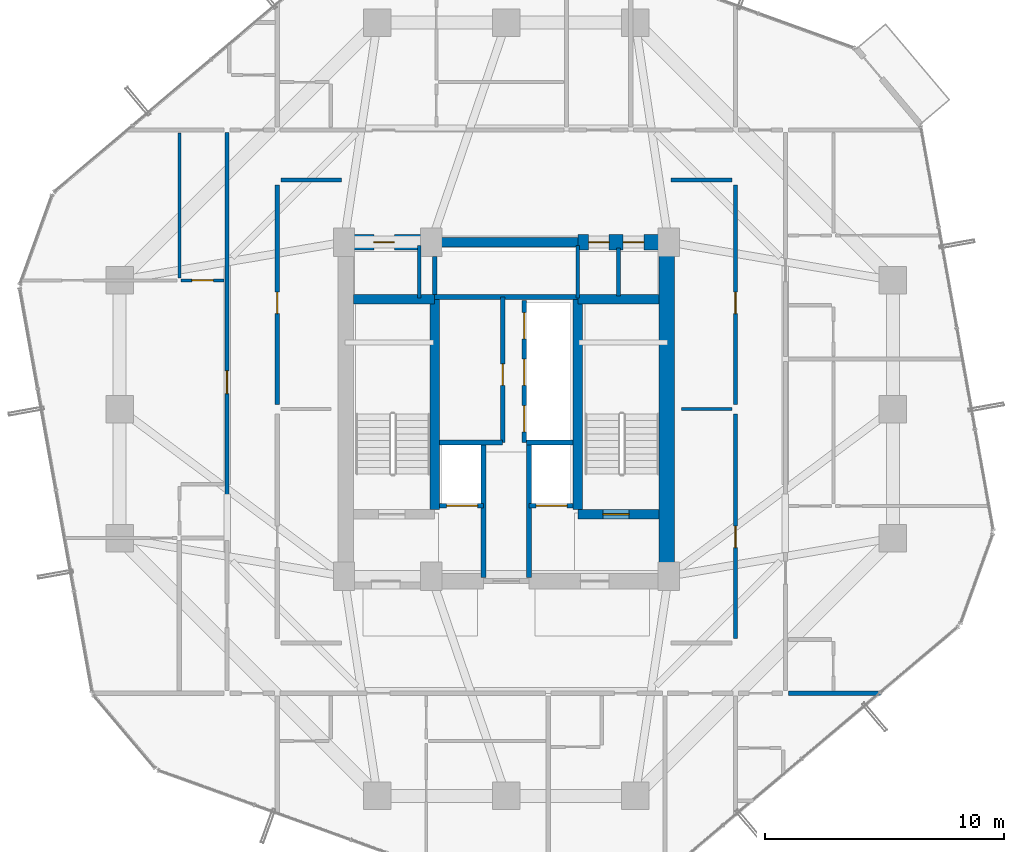
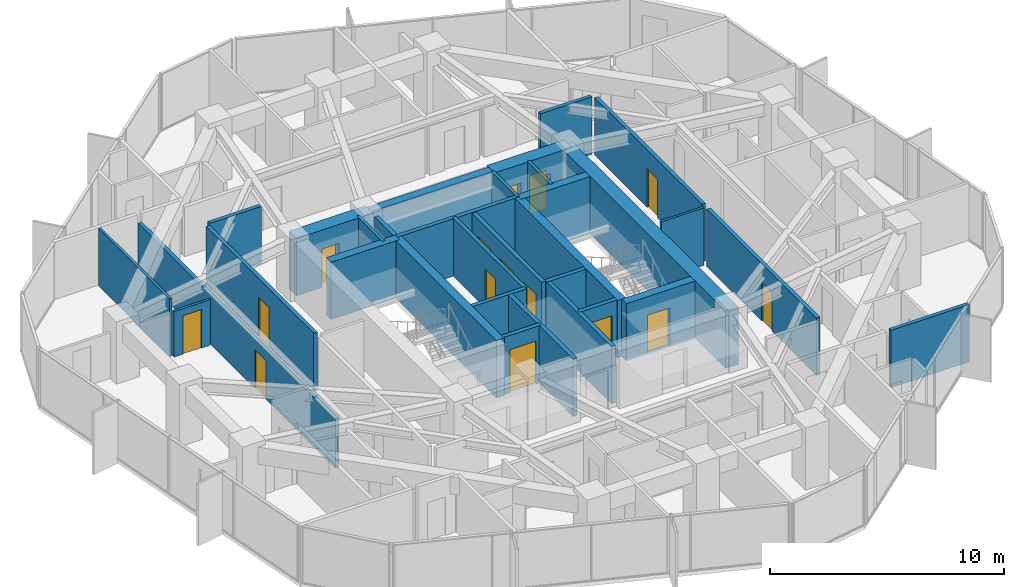
# One storey, part 32 of 36: 32 walls, 15 doors, 15 openings.
"""IFC4 building model written with IfcOpenShell, lengths in metres."""

from ifc_helpers import new_model, si_unit, direction, frame, frame_2d, origin, place, context, subcontext, project, spatial, rectangle, extrude, source, transform, mapped, material, layer, layer_set, type_object, element, fill, save


model = new_model("IFC4")

# Units and contexts
model_context = context("Model", 3, precision=1e-05, world=origin(), true_north=direction((0.0, 1.0)))
body_context = subcontext(model_context, "Body", "Model", "MODEL_VIEW")
ifc_project = project(units=[si_unit("LENGTHUNIT", "METRE"), si_unit("AREAUNIT", "SQUARE_METRE"), si_unit("VOLUMEUNIT", "CUBIC_METRE"), si_unit("PLANEANGLEUNIT", "RADIAN"), si_unit("MASSUNIT", "GRAM", prefix="KILO")], contexts=[model_context])

# Site, building, storey
site_placement = place(None, origin())
site = spatial("IfcSite", under=ifc_project, at=site_placement, CompositionType="ELEMENT")
building_placement = place(site_placement, origin())
building = spatial("IfcBuilding", under=site, at=building_placement, Name="Veraguas Prism Commons", CompositionType="ELEMENT")
storey_placement = place(building_placement, frame((0.0, 0.0, 163.050048828125)))
storey = spatial("IfcBuildingStorey", under=building, at=storey_placement, Name="L46", CompositionType="ELEMENT", Elevation=163.050048828125)

# Wall
ifc_material_1 = material(Name="Concrete C50/60", Category="concrete")
ifc_layer_1 = layer(ifc_material_1, 0.39990234375, Name="Clinic and Mid Core Shear Wall RC 400", Category="concrete")
ifc_layer_set_1 = layer_set([ifc_layer_1], Name="Concrete C50/60")
wall_type_1 = type_object("IfcWallType", Name="Clinic and Mid Core Shear Wall RC 400", PredefinedType="SHEAR", material=ifc_layer_set_1)
wall_1_placement = place(storey_placement, frame((21.0, 31.0, 0.0), z_axis=(0.0, 0.0, 1.0), x_axis=(1.0, 0.0, 0.0)))
element("IfcWall", 1, at=wall_1_placement, inside=storey, type_object=wall_type_1, Name="High-Rise Lift Bank Front Shear Wall L46", PredefinedType="SHEAR", context=body_context, shape_type="SweptSolid", body=[
    extrude(rectangle(XDim=6.0, YDim=0.39990234375, at=frame_2d((3.0, 0.0))), origin(), (0.0, 0.0, 1.0), 3.0),
])

# Wall, opening, door
wall_2_placement = place(storey_placement, frame((27.0, 19.60009765625, 0.0), z_axis=(0.0, 0.0, 1.0), x_axis=(1.0, 0.0, 0.0)))
wall_2 = element("IfcWall", 2, at=wall_2_placement, inside=storey, type_object=wall_type_1, Name="Stair ST-02 South Shear Wall L46", PredefinedType="SHEAR", context=body_context, shape_type="SweptSolid", body=[
    extrude(rectangle(XDim=3.39990234375, YDim=0.39990234375, at=frame_2d((1.699951171875, 0.0))), origin(), (0.0, 0.0, 1.0), 3.0),
])
opening_1_placement = place(wall_2_placement, frame((1.050048828125, 0.0, 0.0)))
opening_1 = element("IfcOpeningElement", 3, at=opening_1_placement, cuts=wall_2, Name="Opening DR-05", PredefinedType="OPENING", context=body_context, shape_type="SweptSolid", body=[
    extrude(rectangle(XDim=1.10009765625, YDim=2.030029296875, at=frame_2d((0.550048828125, 1.01513671875))), frame((0.0, 0.2099609375, 0.0), z_axis=(0.0, -1.0, 0.0), x_axis=(1.0, 0.0, 0.0)), (0.0, 0.0, 1.0), 0.419921875),
])
ifc_material_2 = material(Name="Steel fire-rated door assembly", Category="steel")
door_type_1 = type_object("IfcDoorType", Name="Protected Stair and Refuge Fire Door 1100x2030", OperationType="NOTDEFINED", PredefinedType="DOOR", material=ifc_material_2)
shared_shape_1 = source(origin(), body_context, "Body", "SweptSolid", [
    extrude(rectangle(XDim=1.10009765625, YDim=2.030029296875, at=frame_2d((0.550048828125, 1.01513671875))), frame((0.0, 0.02490234375, 0.0), z_axis=(0.0, -1.0, 0.0), x_axis=(1.0, 0.0, 0.0)), (0.0, 0.0, 1.0), 0.050048828125),
])
door_1_placement = place(opening_1_placement, origin())
door_1 = element("IfcDoor", 4, at=door_1_placement, inside=storey, type_object=door_type_1, Name="Stair ST-02 Enclosure Door L46", OperationType="SINGLE_SWING_LEFT", OverallHeight=2.030029296875, OverallWidth=1.10009765625, PredefinedType="DOOR", context=body_context, shape_type="MappedRepresentation", body=[
    mapped(shared_shape_1, transform((0.0, 0.0, 0.0), scale=1.0)),
])
fill(opening_1, door_1)

# Walls
for number, where, z_axis, x_axis, name in (
    (5, (21.0, 19.800048828125, 0.0), (0.0, 0.0, 1.0), (0.0, 1.0, 0.0), "Stair ST-01 Inner Shear Wall L46"),
    (6, (27.0, 19.800048828125, 0.0), (0.0, 0.0, 1.0), (0.0, 1.0, 0.0), "Stair ST-02 Inner Shear Wall L46"),
):
    element("IfcWall", number, at=place(storey_placement, frame(where, z_axis=z_axis, x_axis=x_axis)), inside=storey, type_object=wall_type_1, Name=name, PredefinedType="SHEAR", context=body_context, shape_type="SweptSolid", body=[
        extrude(rectangle(XDim=8.800048828125, YDim=0.39990234375, at=frame_2d((4.39990234375, 0.0))), origin(), (0.0, 0.0, 1.0), 3.0),
    ])
for number, where, z_axis, x_axis, name in (
    (7, (17.60009765625, 28.60009765625, 0.0), (0.0, 0.0, 1.0), (1.0, 0.0, 0.0), "Stair ST-01 North Shear Wall L46"),
    (8, (27.0, 28.60009765625, 0.0), (0.0, 0.0, 1.0), (1.0, 0.0, 0.0), "Stair ST-02 North Shear Wall L46"),
):
    element("IfcWall", number, at=place(storey_placement, frame(where, z_axis=z_axis, x_axis=x_axis)), inside=storey, type_object=wall_type_1, Name=name, PredefinedType="SHEAR", context=body_context, shape_type="SweptSolid", body=[
        extrude(rectangle(XDim=3.39990234375, YDim=0.39990234375, at=frame_2d((1.699951171875, 0.0))), origin(), (0.0, 0.0, 1.0), 3.0),
    ])
ifc_material_3 = material(Name="Concrete C55/67", Category="concrete")
ifc_layer_2 = layer(ifc_material_3, 0.64990234375, Name="Core Outer Shear Wall Mid RC 650", Category="concrete")
ifc_layer_set_2 = layer_set([ifc_layer_2], Name="Concrete C55/67")
wall_type_2 = type_object("IfcWallType", Name="Core Outer Shear Wall Mid RC 650", PredefinedType="SHEAR", material=ifc_layer_set_2)
wall_3_placement = place(storey_placement, frame((30.72509765625, 16.800048828125, 0.0), z_axis=(0.0, 0.0, 1.0), x_axis=(0.0, 1.0, 0.0)))
element("IfcWall", 9, at=wall_3_placement, inside=storey, type_object=wall_type_2, Name="Central Core East Shear Wall L46", PredefinedType="SHEAR", context=body_context, shape_type="SweptSolid", body=[
    extrude(rectangle(XDim=14.199951171875, YDim=0.64990234375, at=frame_2d((7.10009765625, 0.0))), origin(), (0.0, 0.0, 1.0), 3.0),
])

# Wall, opening, door
wall_4_placement = place(storey_placement, frame((17.199951171875, 31.0, 0.0), z_axis=(0.0, 0.0, 1.0), x_axis=(1.0, 0.0, 0.0)))
wall_4 = element("IfcWall", 10, at=wall_4_placement, inside=storey, type_object=wall_type_2, Name="Central Core North-West Shear Wall L46", PredefinedType="SHEAR", context=body_context, shape_type="SweptSolid", body=[
    extrude(rectangle(XDim=3.800048828125, YDim=0.64990234375, at=frame_2d((1.89990234375, 0.0))), origin(), (0.0, 0.0, 1.0), 3.0),
])
opening_2_placement = place(wall_4_placement, frame((1.25, 0.0, 0.0)))
opening_2 = element("IfcOpeningElement", 11, at=opening_2_placement, cuts=wall_4, Name="Opening DR-12", PredefinedType="OPENING", context=body_context, shape_type="SweptSolid", body=[
    extrude(rectangle(XDim=0.860107421875, YDim=2.010009765625, at=frame_2d((0.43017578125, 1.0048828125))), frame((0.0, 0.3349609375, 0.0), z_axis=(0.0, -1.0, 0.0), x_axis=(1.0, 0.0, 0.0)), (0.0, 0.0, 1.0), 0.669921875),
])
door_type_2 = type_object("IfcDoorType", Name="Core WC Fire Door 860x2010", OperationType="NOTDEFINED", PredefinedType="DOOR", material=ifc_material_2)
shared_shape_2 = source(origin(), body_context, "Body", "SweptSolid", [
    extrude(rectangle(XDim=0.860107421875, YDim=2.010009765625, at=frame_2d((0.43017578125, 1.0048828125))), frame((0.0, 0.02490234375, 0.0), z_axis=(0.0, -1.0, 0.0), x_axis=(1.0, 0.0, 0.0)), (0.0, 0.0, 1.0), 0.050048828125),
])
door_2_placement = place(opening_2_placement, origin())
door_2 = element("IfcDoor", 12, at=door_2_placement, inside=storey, type_object=door_type_2, Name="Core NW Service Door L46", OperationType="SINGLE_SWING_LEFT", OverallHeight=2.010009765625, OverallWidth=0.860107421875, PredefinedType="DOOR", context=body_context, shape_type="MappedRepresentation", body=[
    mapped(shared_shape_2, transform((0.0, 0.0, 0.0), scale=1.0)),
])
fill(opening_2, door_2)

# Wall, openings, doors
wall_5_placement = place(storey_placement, frame((27.0, 31.0, 0.0), z_axis=(0.0, 0.0, 1.0), x_axis=(1.0, 0.0, 0.0)))
wall_5 = element("IfcWall", 13, at=wall_5_placement, inside=storey, type_object=wall_type_2, Name="Central Core North-East Shear Wall L46", PredefinedType="SHEAR", context=body_context, shape_type="SweptSolid", body=[
    extrude(rectangle(XDim=3.800048828125, YDim=0.64990234375, at=frame_2d((1.89990234375, 0.0))), origin(), (0.0, 0.0, 1.0), 3.0),
])
opening_3_placement = place(wall_5_placement, frame((0.449951171875, 0.0, 0.0)))
opening_3 = element("IfcOpeningElement", 14, at=opening_3_placement, cuts=wall_5, Name="Opening DR-12", PredefinedType="OPENING", context=body_context, shape_type="SweptSolid", body=[
    extrude(rectangle(XDim=0.860107421875, YDim=2.010009765625, at=frame_2d((0.43017578125, 1.0048828125))), frame((0.0, 0.3349609375, 0.0), z_axis=(0.0, -1.0, 0.0), x_axis=(1.0, 0.0, 0.0)), (0.0, 0.0, 1.0), 0.669921875),
])
opening_4_placement = place(wall_5_placement, frame((1.89990234375, 0.0, 0.0)))
opening_4 = element("IfcOpeningElement", 15, at=opening_4_placement, cuts=wall_5, Name="Opening DR-12", PredefinedType="OPENING", context=body_context, shape_type="SweptSolid", body=[
    extrude(rectangle(XDim=0.860107421875, YDim=2.010009765625, at=frame_2d((0.43017578125, 1.0048828125))), frame((0.0, 0.3349609375, 0.0), z_axis=(0.0, -1.0, 0.0), x_axis=(1.0, 0.0, 0.0)), (0.0, 0.0, 1.0), 0.669921875),
])
door_3_placement = place(opening_3_placement, origin())
door_3 = element("IfcDoor", 16, at=door_3_placement, inside=storey, type_object=door_type_2, Name="Core NE Room A Door L46", OperationType="SINGLE_SWING_RIGHT", OverallHeight=2.010009765625, OverallWidth=0.860107421875, PredefinedType="DOOR", context=body_context, shape_type="MappedRepresentation", body=[
    mapped(shared_shape_2, transform((0.0, 0.0, 0.0), scale=1.0)),
])
fill(opening_3, door_3)
door_4_placement = place(opening_4_placement, origin())
door_4 = element("IfcDoor", 17, at=door_4_placement, inside=storey, type_object=door_type_2, Name="Core NE Room B Door L46", OperationType="SINGLE_SWING_LEFT", OverallHeight=2.010009765625, OverallWidth=0.860107421875, PredefinedType="DOOR", context=body_context, shape_type="MappedRepresentation", body=[
    mapped(shared_shape_2, transform((0.0, 0.0, 0.0), scale=1.0)),
])
fill(opening_4, door_4)

# Wall, opening, door
ifc_material_4 = material(Name="Autoclaved aerated masonry block 10 MPa", Category="masonry")
ifc_layer_3 = layer(ifc_material_4, 0.179931640625, Name="Corridor and Inter-Tenancy Partition 180", Category="masonry")
ifc_layer_set_3 = layer_set([ifc_layer_3], Name="Autoclaved aerated masonry block 10 MPa")
wall_type_3 = type_object("IfcWallType", Name="Corridor and Inter-Tenancy Partition 180", PredefinedType="PARTITIONING", material=ifc_layer_set_3)
wall_6_placement = place(storey_placement, frame((23.85009765625, 22.60009765625, 0.0), z_axis=(0.0, 0.0, 1.0), x_axis=(0.0, 1.0, 0.0)))
wall_6 = element("IfcWall", 18, at=wall_6_placement, inside=storey, type_object=wall_type_3, Name="Reading Room Partition L46", PredefinedType="PARTITIONING", context=body_context, shape_type="SweptSolid", body=[
    extrude(rectangle(XDim=6.099853515625, YDim=0.179931640625, at=frame_2d((3.0498046875, 0.0))), origin(), (0.0, 0.0, 1.0), 3.0),
])
opening_5_placement = place(wall_6_placement, frame((2.39990234375, 0.0, 0.0)))
opening_5 = element("IfcOpeningElement", 19, at=opening_5_placement, cuts=wall_6, Name="Opening DR-14", PredefinedType="OPENING", context=body_context, shape_type="SweptSolid", body=[
    extrude(rectangle(XDim=0.89990234375, YDim=2.010009765625, at=frame_2d((0.449951171875, 1.0048828125))), frame((0.0, 0.099853515625, 0.0), z_axis=(0.0, -1.0, 0.0), x_axis=(1.0, 0.0, 0.0)), (0.0, 0.0, 1.0), 0.199951171875),
])
door_type_3 = type_object("IfcDoorType", Name="Core Service Room Fire Door 900x2010", OperationType="NOTDEFINED", PredefinedType="DOOR", material=ifc_material_2)
shared_shape_3 = source(origin(), body_context, "Body", "SweptSolid", [
    extrude(rectangle(XDim=0.89990234375, YDim=2.010009765625, at=frame_2d((0.449951171875, 1.0048828125))), frame((0.0, 0.02490234375, 0.0), z_axis=(0.0, -1.0, 0.0), x_axis=(1.0, 0.0, 0.0)), (0.0, 0.0, 1.0), 0.050048828125),
])
door_5_placement = place(opening_5_placement, origin())
door_5 = element("IfcDoor", 20, at=door_5_placement, inside=storey, type_object=door_type_3, Name="Reading Room Door L46", OperationType="SINGLE_SWING_RIGHT", OverallHeight=2.010009765625, OverallWidth=0.89990234375, PredefinedType="DOOR", context=body_context, shape_type="MappedRepresentation", body=[
    mapped(shared_shape_3, transform((0.0, 0.0, 0.0), scale=1.0)),
])
fill(opening_5, door_5)

wall_7_placement = place(storey_placement, frame((14.39990234375, 24.199951171875, 0.0), z_axis=(0.0, 0.0, 1.0), x_axis=(0.0, 1.0, 0.0)))
wall_7 = element("IfcWall", 21, at=wall_7_placement, inside=storey, type_object=wall_type_3, Name="WL-L46-IRW2", PredefinedType="PARTITIONING", context=body_context, shape_type="SweptSolid", body=[
    extrude(rectangle(XDim=9.199951171875, YDim=0.179931640625, at=frame_2d((4.60009765625, 0.0))), origin(), (0.0, 0.0, 1.0), 3.0),
])
opening_6_placement = place(wall_7_placement, frame((3.800048828125, 0.0, 0.0)))
opening_6 = element("IfcOpeningElement", 22, at=opening_6_placement, cuts=wall_7, Name="Opening DR-14", PredefinedType="OPENING", context=body_context, shape_type="SweptSolid", body=[
    extrude(rectangle(XDim=0.89990234375, YDim=2.010009765625, at=frame_2d((0.449951171875, 1.0048828125))), frame((0.0, 0.099853515625, 0.0), z_axis=(0.0, -1.0, 0.0), x_axis=(1.0, 0.0, 0.0)), (0.0, 0.0, 1.0), 0.199951171875),
])
door_6_placement = place(opening_6_placement, origin())
door_6 = element("IfcDoor", 23, at=door_6_placement, inside=storey, type_object=door_type_3, Name="Co-op Cycle and Pram Store Door L46", OperationType="SINGLE_SWING_RIGHT", OverallHeight=2.010009765625, OverallWidth=0.89990234375, PredefinedType="DOOR", context=body_context, shape_type="MappedRepresentation", body=[
    mapped(shared_shape_3, transform((0.0, 0.0, 0.0), scale=1.0)),
])
fill(opening_6, door_6)

wall_8_placement = place(storey_placement, frame((33.60009765625, 14.39990234375, 0.0), z_axis=(0.0, 0.0, 1.0), x_axis=(0.0, 1.0, 0.0)))
wall_8 = element("IfcWall", 24, at=wall_8_placement, inside=storey, type_object=wall_type_3, Name="WL-L46-IRE1", PredefinedType="PARTITIONING", context=body_context, shape_type="SweptSolid", body=[
    extrude(rectangle(XDim=9.400146484375, YDim=0.179931640625, at=frame_2d((4.7001953125, 0.0))), origin(), (0.0, 0.0, 1.0), 3.0),
])
opening_7_placement = place(wall_8_placement, frame((3.800048828125, 0.0, 0.0)))
opening_7 = element("IfcOpeningElement", 25, at=opening_7_placement, cuts=wall_8, Name="Opening DR-14", PredefinedType="OPENING", context=body_context, shape_type="SweptSolid", body=[
    extrude(rectangle(XDim=0.89990234375, YDim=2.010009765625, at=frame_2d((0.449951171875, 1.0048828125))), frame((0.0, 0.099853515625, 0.0), z_axis=(0.0, -1.0, 0.0), x_axis=(1.0, 0.0, 0.0)), (0.0, 0.0, 1.0), 0.199951171875),
])
door_7_placement = place(opening_7_placement, origin())
door_7 = element("IfcDoor", 26, at=door_7_placement, inside=storey, type_object=door_type_3, Name="Shared Laundry Annex Door L46", OperationType="SINGLE_SWING_LEFT", OverallHeight=2.010009765625, OverallWidth=0.89990234375, PredefinedType="DOOR", context=body_context, shape_type="MappedRepresentation", body=[
    mapped(shared_shape_3, transform((0.0, 0.0, 0.0), scale=1.0)),
])
fill(opening_7, door_7)

wall_9_placement = place(storey_placement, frame((33.60009765625, 24.199951171875, 0.0), z_axis=(0.0, 0.0, 1.0), x_axis=(0.0, 1.0, 0.0)))
wall_9 = element("IfcWall", 27, at=wall_9_placement, inside=storey, type_object=wall_type_3, Name="WL-L46-IRE2", PredefinedType="PARTITIONING", context=body_context, shape_type="SweptSolid", body=[
    extrude(rectangle(XDim=9.199951171875, YDim=0.179931640625, at=frame_2d((4.60009765625, 0.0))), origin(), (0.0, 0.0, 1.0), 3.0),
])
opening_8_placement = place(wall_9_placement, frame((3.800048828125, 0.0, 0.0)))
opening_8 = element("IfcOpeningElement", 28, at=opening_8_placement, cuts=wall_9, Name="Opening DR-14", PredefinedType="OPENING", context=body_context, shape_type="SweptSolid", body=[
    extrude(rectangle(XDim=0.89990234375, YDim=2.010009765625, at=frame_2d((0.449951171875, 1.0048828125))), frame((0.0, 0.099853515625, 0.0), z_axis=(0.0, -1.0, 0.0), x_axis=(1.0, 0.0, 0.0)), (0.0, 0.0, 1.0), 0.199951171875),
])
door_8_placement = place(opening_8_placement, origin())
door_8 = element("IfcDoor", 29, at=door_8_placement, inside=storey, type_object=door_type_3, Name="Community Reading Alcove Door L46", OperationType="SINGLE_SWING_RIGHT", OverallHeight=2.010009765625, OverallWidth=0.89990234375, PredefinedType="DOOR", context=body_context, shape_type="MappedRepresentation", body=[
    mapped(shared_shape_3, transform((0.0, 0.0, 0.0), scale=1.0)),
])
fill(opening_8, door_8)

# Walls
for number, where, z_axis, x_axis, name in (
    (30, (14.550048828125, 33.60009765625, 0.0), (0.0, 0.0, 1.0), (1.0, 0.0, 0.0), "WL-L46-IRWN"),
    (31, (30.89990234375, 33.60009765625, 0.0), (0.0, 0.0, 1.0), (1.0, 0.0, 0.0), "WL-L46-IREN"),
):
    element("IfcWall", number, at=place(storey_placement, frame(where, z_axis=z_axis, x_axis=x_axis)), inside=storey, type_object=wall_type_3, Name=name, PredefinedType="PARTITIONING", context=body_context, shape_type="SweptSolid", body=[
        extrude(rectangle(XDim=2.550048828125, YDim=0.179931640625, at=frame_2d((1.27490234375, 0.0))), origin(), (0.0, 0.0, 1.0), 3.0),
    ])

# Wall, opening, door
wall_10_placement = place(storey_placement, frame((12.300048828125, 18.7099609375, 0.0), z_axis=(0.0, 0.0, 1.0), x_axis=(0.0, 1.0, 0.0)))
wall_10 = element("IfcWall", 32, at=wall_10_placement, inside=storey, type_object=wall_type_3, Name="WL-L46-PT030", PredefinedType="PARTITIONING", context=body_context, shape_type="SweptSolid", body=[
    extrude(rectangle(XDim=16.880126953125, YDim=0.179931640625, at=frame_2d((8.43994140625, 0.0))), origin(), (0.0, 0.0, 1.0), 2.579833984375),
])
opening_9_placement = place(wall_10_placement, frame((5.93994140625, 0.0, 0.0)))
opening_9 = element("IfcOpeningElement", 33, at=opening_9_placement, cuts=wall_10, Name="Opening DR-01", PredefinedType="OPENING", context=body_context, shape_type="SweptSolid", body=[
    extrude(rectangle(XDim=0.949951171875, YDim=2.02001953125, at=frame_2d((0.47509765625, 1.010009765625))), frame((0.0, 0.099853515625, 0.0), z_axis=(0.0, -1.0, 0.0), x_axis=(1.0, 0.0, 0.0)), (0.0, 0.0, 1.0), 0.199951171875),
])
ifc_material_5 = material(Name="Anodised aluminium EN AW-6063 T6", Category="aluminium")
door_type_4 = type_object("IfcDoorType", Name="Apartment Entrance Fire Door 950x2020", OperationType="NOTDEFINED", PredefinedType="DOOR", material=ifc_material_5)
shared_shape_4 = source(origin(), body_context, "Body", "SweptSolid", [
    extrude(rectangle(XDim=0.949951171875, YDim=2.02001953125, at=frame_2d((0.47509765625, 1.010009765625))), frame((0.0, 0.02490234375, 0.0), z_axis=(0.0, -1.0, 0.0), x_axis=(1.0, 0.0, 0.0)), (0.0, 0.0, 1.0), 0.050048828125),
])
door_9_placement = place(opening_9_placement, origin())
door_9 = element("IfcDoor", 34, at=door_9_placement, inside=storey, type_object=door_type_4, Name="Flat 46D Entrance Door", OperationType="SINGLE_SWING_LEFT", OverallHeight=2.02001953125, OverallWidth=0.949951171875, PredefinedType="DOOR", context=body_context, shape_type="MappedRepresentation", body=[
    mapped(shared_shape_4, transform((0.0, 0.0, 0.0), scale=1.0)),
])
fill(opening_9, door_9)

# Walls
wall_11_placement = place(storey_placement, frame((35.820068359375, 12.10009765625, 0.0), z_axis=(0.0, 0.0, 1.0), x_axis=(1.0, 0.0, 0.0)))
element("IfcWall", 35, at=wall_11_placement, inside=storey, type_object=wall_type_3, Name="WL-L46-PT039", PredefinedType="PARTITIONING", context=body_context, shape_type="SweptSolid", body=[
    extrude(rectangle(XDim=3.8662109375, YDim=0.179931640625, at=frame_2d((1.93310546875, 0.0))), origin(), (0.0, 0.0, 1.0), 3.0),
])
ifc_material_6 = material(Name="Lightweight acoustic gypsum board")
ifc_layer_4 = layer(ifc_material_6, 0.125, Name="Internal Apartment Room Partition 125")
ifc_layer_set_4 = layer_set([ifc_layer_4], Name="Lightweight acoustic gypsum board")
wall_type_4 = type_object("IfcWallType", Name="Internal Apartment Room Partition 125", PredefinedType="PARTITIONING", material=ifc_layer_set_4)
wall_12_placement = place(storey_placement, frame((31.35009765625, 24.0, 0.0), z_axis=(0.0, 0.0, 1.0), x_axis=(1.0, 0.0, 0.0)))
element("IfcWall", 36, at=wall_12_placement, inside=storey, type_object=wall_type_4, Name="WL-L46-IREM", PredefinedType="PARTITIONING", context=body_context, shape_type="SweptSolid", body=[
    extrude(rectangle(XDim=2.099853515625, YDim=0.125, at=frame_2d((1.0498046875, 0.0))), origin(), (0.0, 0.0, 1.0), 3.0),
])

# Wall, opening, door
wall_13_placement = place(storey_placement, frame((12.179931640625, 29.39990234375, 0.0), z_axis=(0.0, 0.0, 1.0), x_axis=(-1.0, 0.0, 0.0)))
wall_13 = element("IfcWall", 37, at=wall_13_placement, inside=storey, type_object=wall_type_4, Name="WL-L46-PT036", PredefinedType="PARTITIONING", context=body_context, shape_type="SweptSolid", body=[
    extrude(rectangle(XDim=1.800048828125, YDim=0.125, at=frame_2d((0.89990234375, 0.0))), origin(), (0.0, 0.0, 1.0), 2.3779296875),
])
opening_10_placement = place(wall_13_placement, frame((0.449951171875, 0.0, 0.0)))
opening_10 = element("IfcOpeningElement", 38, at=opening_10_placement, cuts=wall_13, Name="Opening DR-02", PredefinedType="OPENING", context=body_context, shape_type="SweptSolid", body=[
    extrude(rectangle(XDim=0.89990234375, YDim=2.010009765625, at=frame_2d((0.449951171875, 1.0048828125))), frame((0.0, 0.072509765625, 0.0), z_axis=(0.0, -1.0, 0.0), x_axis=(1.0, 0.0, 0.0)), (0.0, 0.0, 1.0), 0.14501953125),
])
ifc_material_7 = material(Name="Timber solid core hardwood", Category="wood")
door_type_5 = type_object("IfcDoorType", Name="Internal Habitable Room Door 900x2010", OperationType="NOTDEFINED", PredefinedType="DOOR", material=ifc_material_7)
door_10_placement = place(opening_10_placement, origin())
door_10 = element("IfcDoor", 39, at=door_10_placement, inside=storey, type_object=door_type_5, Name="Flat 46D Kitchen Door", OperationType="SINGLE_SWING_RIGHT", OverallHeight=2.010009765625, OverallWidth=0.89990234375, PredefinedType="DOOR", context=body_context, shape_type="MappedRepresentation", body=[
    mapped(shared_shape_3, transform((0.0, 0.0, 0.0), scale=1.0)),
])
fill(opening_10, door_10)

# Wall
wall_14_placement = place(storey_placement, frame((10.300048828125, 29.5, 0.0), z_axis=(0.0, 0.0, 1.0), x_axis=(0.0, 1.0, 0.0)))
element("IfcWall", 40, at=wall_14_placement, inside=storey, type_object=wall_type_4, Name="WL-L46-PT037", PredefinedType="PARTITIONING", context=body_context, shape_type="SweptSolid", body=[
    extrude(rectangle(XDim=6.080078125, YDim=0.125, at=frame_2d((3.0400390625, 0.0))), origin(), (0.0, 0.0, 1.0), 3.0),
])

# Wall, opening, door
ifc_layer_5 = layer(ifc_material_4, 0.199951171875, Name="Rated Shaft and Lobby Block Wall 200", Category="masonry")
ifc_layer_set_5 = layer_set([ifc_layer_5], Name="Autoclaved aerated masonry block 10 MPa")
wall_type_5 = type_object("IfcWallType", Name="Rated Shaft and Lobby Block Wall 200", PredefinedType="SOLIDWALL", material=ifc_layer_set_5)
wall_15_placement = place(storey_placement, frame((21.199951171875, 19.949951171875, 0.0), z_axis=(0.0, 0.0, 1.0), x_axis=(1.0, 0.0, 0.0)))
wall_15 = element("IfcWall", 41, at=wall_15_placement, inside=storey, type_object=wall_type_5, Name="Firefighting Lift FFL-1 Front Wall L46", PredefinedType="SOLIDWALL", context=body_context, shape_type="SweptSolid", body=[
    extrude(rectangle(XDim=1.85009765625, YDim=0.199951171875, at=frame_2d((0.925048828125, 0.0))), origin(), (0.0, 0.0, 1.0), 3.0),
])
opening_11_placement = place(wall_15_placement, frame((0.300048828125, 0.0, 0.0)))
opening_11 = element("IfcOpeningElement", 42, at=opening_11_placement, cuts=wall_15, Name="Opening LD-02", PredefinedType="OPENING", context=body_context, shape_type="SweptSolid", body=[
    extrude(rectangle(XDim=1.300048828125, YDim=2.25, at=frame_2d((0.64990234375, 1.125))), frame((0.0, 0.10986328125, 0.0), z_axis=(0.0, -1.0, 0.0), x_axis=(1.0, 0.0, 0.0)), (0.0, 0.0, 1.0), 0.219970703125),
])
ifc_material_8 = material(Name="Stainless steel AISI 316", Category="steel")
door_type_6 = type_object("IfcDoorType", Name="Firefighting Lift Sliding Landing Door 1300x2250", OperationType="NOTDEFINED", PredefinedType="DOOR", material=ifc_material_8)
shared_shape_5 = source(origin(), body_context, "Body", "SweptSolid", [
    extrude(rectangle(XDim=1.300048828125, YDim=2.25, at=frame_2d((0.64990234375, 1.125))), frame((0.0, 0.02490234375, 0.0), z_axis=(0.0, -1.0, 0.0), x_axis=(1.0, 0.0, 0.0)), (0.0, 0.0, 1.0), 0.050048828125),
])
door_11_placement = place(opening_11_placement, origin())
door_11 = element("IfcDoor", 43, at=door_11_placement, inside=storey, type_object=door_type_6, Name="Firefighting Lift FFL-1 Landing Door L46", OperationType="SLIDING_TO_LEFT", OverallHeight=2.25, OverallWidth=1.300048828125, PredefinedType="DOOR", context=body_context, shape_type="MappedRepresentation", body=[
    mapped(shared_shape_5, transform((0.0, 0.0, 0.0), scale=1.0)),
])
fill(opening_11, door_11)

wall_16_placement = place(storey_placement, frame((24.949951171875, 19.949951171875, 0.0), z_axis=(0.0, 0.0, 1.0), x_axis=(1.0, 0.0, 0.0)))
wall_16 = element("IfcWall", 44, at=wall_16_placement, inside=storey, type_object=wall_type_5, Name="Firefighting Lift FFL-2 Front Wall L46", PredefinedType="SOLIDWALL", context=body_context, shape_type="SweptSolid", body=[
    extrude(rectangle(XDim=1.85009765625, YDim=0.199951171875, at=frame_2d((0.925048828125, 0.0))), origin(), (0.0, 0.0, 1.0), 3.0),
])
opening_12_placement = place(wall_16_placement, frame((0.300048828125, 0.0, 0.0)))
opening_12 = element("IfcOpeningElement", 45, at=opening_12_placement, cuts=wall_16, Name="Opening LD-02", PredefinedType="OPENING", context=body_context, shape_type="SweptSolid", body=[
    extrude(rectangle(XDim=1.300048828125, YDim=2.25, at=frame_2d((0.64990234375, 1.125))), frame((0.0, 0.10986328125, 0.0), z_axis=(0.0, -1.0, 0.0), x_axis=(1.0, 0.0, 0.0)), (0.0, 0.0, 1.0), 0.219970703125),
])
door_12_placement = place(opening_12_placement, origin())
door_12 = element("IfcDoor", 46, at=door_12_placement, inside=storey, type_object=door_type_6, Name="Firefighting Lift FFL-2 Front Wall L46", OperationType="SLIDING_TO_LEFT", OverallHeight=2.25, OverallWidth=1.300048828125, PredefinedType="DOOR", context=body_context, shape_type="MappedRepresentation", body=[
    mapped(shared_shape_5, transform((0.0, 0.0, 0.0), scale=1.0)),
])
fill(opening_12, door_12)

# Walls
for number, where, z_axis, x_axis, name in (
    (47, (23.050048828125, 16.949951171875, 0.0), (0.0, 0.0, 1.0), (0.0, 1.0, 0.0), "West FF Lobby Divider Wall L46"),
    (48, (24.949951171875, 16.949951171875, 0.0), (0.0, 0.0, 1.0), (0.0, 1.0, 0.0), "East FF Lobby Divider Wall L46"),
):
    element("IfcWall", number, at=place(storey_placement, frame(where, z_axis=z_axis, x_axis=x_axis)), inside=storey, type_object=wall_type_5, Name=name, PredefinedType="SOLIDWALL", context=body_context, shape_type="SweptSolid", body=[
        extrude(rectangle(XDim=5.60009765625, YDim=0.199951171875, at=frame_2d((2.800048828125, 0.0))), origin(), (0.0, 0.0, 1.0), 3.0),
    ])
wall_17_placement = place(storey_placement, frame((21.199951171875, 22.60009765625, 0.0), z_axis=(0.0, 0.0, 1.0), x_axis=(1.0, 0.0, 0.0)))
element("IfcWall", 49, at=wall_17_placement, inside=storey, type_object=wall_type_5, Name="Firefighting Lift FFL-1 Rear Wall L46", PredefinedType="SOLIDWALL", context=body_context, shape_type="SweptSolid", body=[
    extrude(rectangle(XDim=2.650146484375, YDim=0.199951171875, at=frame_2d((1.3251953125, 0.0))), origin(), (0.0, 0.0, 1.0), 3.0),
])
wall_18_placement = place(storey_placement, frame((24.85009765625, 22.60009765625, 0.0), z_axis=(0.0, 0.0, 1.0), x_axis=(1.0, 0.0, 0.0)))
element("IfcWall", 50, at=wall_18_placement, inside=storey, type_object=wall_type_5, Name="Firefighting Lift FFL-2 Rear Wall L46", PredefinedType="SOLIDWALL", context=body_context, shape_type="SweptSolid", body=[
    extrude(rectangle(XDim=1.949951171875, YDim=0.199951171875, at=frame_2d((0.97509765625, 0.0))), origin(), (0.0, 0.0, 1.0), 3.0),
])
wall_19_placement = place(storey_placement, frame((21.0, 28.699951171875, 0.0), z_axis=(0.0, 0.0, 1.0), x_axis=(1.0, 0.0, 0.0)))
element("IfcWall", 51, at=wall_19_placement, inside=storey, type_object=wall_type_5, Name="High-Rise Lift Bank Rear Shaft Wall L46", PredefinedType="SOLIDWALL", context=body_context, shape_type="SweptSolid", body=[
    extrude(rectangle(XDim=6.0, YDim=0.199951171875, at=frame_2d((3.0, 0.0))), origin(), (0.0, 0.0, 1.0), 3.0),
])
wall_20_placement = place(storey_placement, frame((21.0, 28.800048828125, 0.0), z_axis=(0.0, 0.0, 1.0), x_axis=(0.0, 1.0, 0.0)))
element("IfcWall", 52, at=wall_20_placement, inside=storey, type_object=wall_type_5, Name="High-Rise Lift Bank West Shaft Wall L46", PredefinedType="SOLIDWALL", context=body_context, shape_type="SweptSolid", body=[
    extrude(rectangle(XDim=1.599853515625, YDim=0.199951171875, at=frame_2d((0.7998046875, 0.0))), origin(), (0.0, 0.0, 1.0), 3.0),
])

# Wall, openings, doors
wall_21_placement = place(storey_placement, frame((24.75, 22.60009765625, 0.0), z_axis=(0.0, 0.0, 1.0), x_axis=(0.0, 1.0, 0.0)))
wall_21 = element("IfcWall", 53, at=wall_21_placement, inside=storey, type_object=wall_type_5, Name="Mid-Rise Lift Bank Front Wall L46", PredefinedType="SOLIDWALL", context=body_context, shape_type="SweptSolid", body=[
    extrude(rectangle(XDim=5.949951171875, YDim=0.199951171875, at=frame_2d((2.97509765625, 0.0))), origin(), (0.0, 0.0, 1.0), 3.0),
])
opening_13_placement = place(wall_21_placement, frame((0.449951171875, 0.0, 0.0)))
opening_13 = element("IfcOpeningElement", 54, at=opening_13_placement, cuts=wall_21, Name="Opening LD-01", PredefinedType="OPENING", context=body_context, shape_type="SweptSolid", body=[
    extrude(rectangle(XDim=1.10009765625, YDim=2.080078125, at=frame_2d((0.550048828125, 1.0400390625))), frame((0.0, 0.10986328125, 0.0), z_axis=(0.0, -1.0, 0.0), x_axis=(1.0, 0.0, 0.0)), (0.0, 0.0, 1.0), 0.219970703125),
])
opening_14_placement = place(wall_21_placement, frame((2.39990234375, 0.0, 0.0)))
opening_14 = element("IfcOpeningElement", 55, at=opening_14_placement, cuts=wall_21, Name="Opening LD-01", PredefinedType="OPENING", context=body_context, shape_type="SweptSolid", body=[
    extrude(rectangle(XDim=1.10009765625, YDim=2.080078125, at=frame_2d((0.550048828125, 1.0400390625))), frame((0.0, 0.10986328125, 0.0), z_axis=(0.0, -1.0, 0.0), x_axis=(1.0, 0.0, 0.0)), (0.0, 0.0, 1.0), 0.219970703125),
])
opening_15_placement = place(wall_21_placement, frame((4.35009765625, 0.0, 0.0)))
opening_15 = element("IfcOpeningElement", 56, at=opening_15_placement, cuts=wall_21, Name="Opening LD-01", PredefinedType="OPENING", context=body_context, shape_type="SweptSolid", body=[
    extrude(rectangle(XDim=1.10009765625, YDim=2.080078125, at=frame_2d((0.550048828125, 1.0400390625))), frame((0.0, 0.10986328125, 0.0), z_axis=(0.0, -1.0, 0.0), x_axis=(1.0, 0.0, 0.0)), (0.0, 0.0, 1.0), 0.219970703125),
])
door_type_7 = type_object("IfcDoorType", Name="Passenger Lift Sliding Landing Door 1100x2080", OperationType="NOTDEFINED", PredefinedType="DOOR", material=ifc_material_8)
shared_shape_6 = source(origin(), body_context, "Body", "SweptSolid", [
    extrude(rectangle(XDim=1.10009765625, YDim=2.080078125, at=frame_2d((0.550048828125, 1.0400390625))), frame((0.0, 0.02490234375, 0.0), z_axis=(0.0, -1.0, 0.0), x_axis=(1.0, 0.0, 0.0)), (0.0, 0.0, 1.0), 0.050048828125),
])
door_13_placement = place(opening_13_placement, origin())
door_13 = element("IfcDoor", 57, at=door_13_placement, inside=storey, type_object=door_type_7, Name="Sliding Landing Door PL-M1 L46", OperationType="SLIDING_TO_LEFT", OverallHeight=2.080078125, OverallWidth=1.10009765625, PredefinedType="DOOR", context=body_context, shape_type="MappedRepresentation", body=[
    mapped(shared_shape_6, transform((0.0, 0.0, 0.0), scale=1.0)),
])
fill(opening_13, door_13)
door_14_placement = place(opening_14_placement, origin())
door_14 = element("IfcDoor", 58, at=door_14_placement, inside=storey, type_object=door_type_7, Name="Sliding Landing Door PL-M2 L46", OperationType="SLIDING_TO_LEFT", OverallHeight=2.080078125, OverallWidth=1.10009765625, PredefinedType="DOOR", context=body_context, shape_type="MappedRepresentation", body=[
    mapped(shared_shape_6, transform((0.0, 0.0, 0.0), scale=1.0)),
])
fill(opening_14, door_14)
door_15_placement = place(opening_15_placement, origin())
door_15 = element("IfcDoor", 59, at=door_15_placement, inside=storey, type_object=door_type_7, Name="Sliding Landing Door PL-M3 L46", OperationType="SLIDING_TO_LEFT", OverallHeight=2.080078125, OverallWidth=1.10009765625, PredefinedType="DOOR", context=body_context, shape_type="MappedRepresentation", body=[
    mapped(shared_shape_6, transform((0.0, 0.0, 0.0), scale=1.0)),
])
fill(opening_15, door_15)

# Walls
ifc_layer_6 = layer(ifc_material_6, 0.14990234375, Name="Wet Room and Clinic Acoustic Partition 150")
ifc_layer_set_6 = layer_set([ifc_layer_6], Name="Lightweight acoustic gypsum board")
wall_type_6 = type_object("IfcWallType", Name="Wet Room and Clinic Acoustic Partition 150", PredefinedType="PARTITIONING", material=ifc_layer_set_6)
for number, where, z_axis, x_axis, name in (
    (60, (20.35009765625, 28.64990234375, 0.0), (0.0, 0.0, 1.0), (0.0, 1.0, 0.0), "Core NW Service Inner Wall L46"),
    (61, (27.0, 28.64990234375, 0.0), (0.0, 0.0, 1.0), (0.0, 1.0, 0.0), "Core NE Service Inner Wall L46"),
):
    element("IfcWall", number, at=place(storey_placement, frame(where, z_axis=z_axis, x_axis=x_axis)), inside=storey, type_object=wall_type_6, Name=name, PredefinedType="PARTITIONING", context=body_context, shape_type="SweptSolid", body=[
        extrude(rectangle(XDim=2.2001953125, YDim=0.14990234375, at=frame_2d((1.10009765625, 0.0))), origin(), (0.0, 0.0, 1.0), 3.0),
    ])
wall_22_placement = place(storey_placement, frame((28.699951171875, 28.75, 0.0), z_axis=(0.0, 0.0, 1.0), x_axis=(0.0, 1.0, 0.0)))
element("IfcWall", 62, at=wall_22_placement, inside=storey, type_object=wall_type_6, Name="WL-L46-CSVD1", PredefinedType="PARTITIONING", context=body_context, shape_type="SweptSolid", body=[
    extrude(rectangle(XDim=2.0, YDim=0.14990234375, at=frame_2d((1.0, 0.0))), origin(), (0.0, 0.0, 1.0), 3.0),
])

save(model, "model.ifc")
